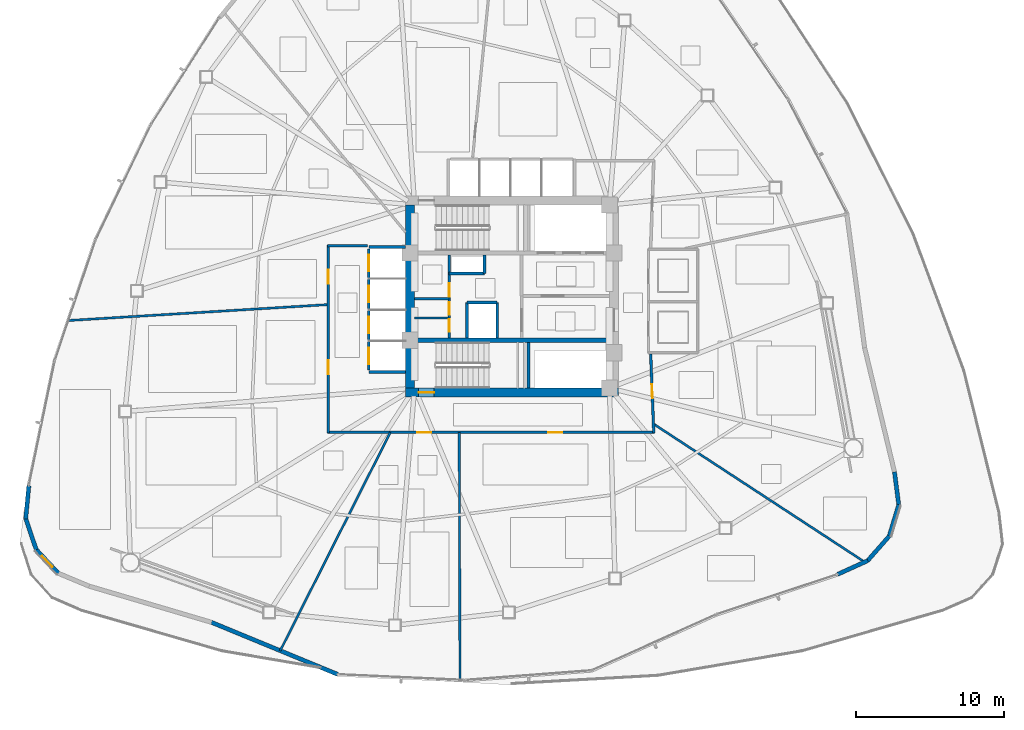
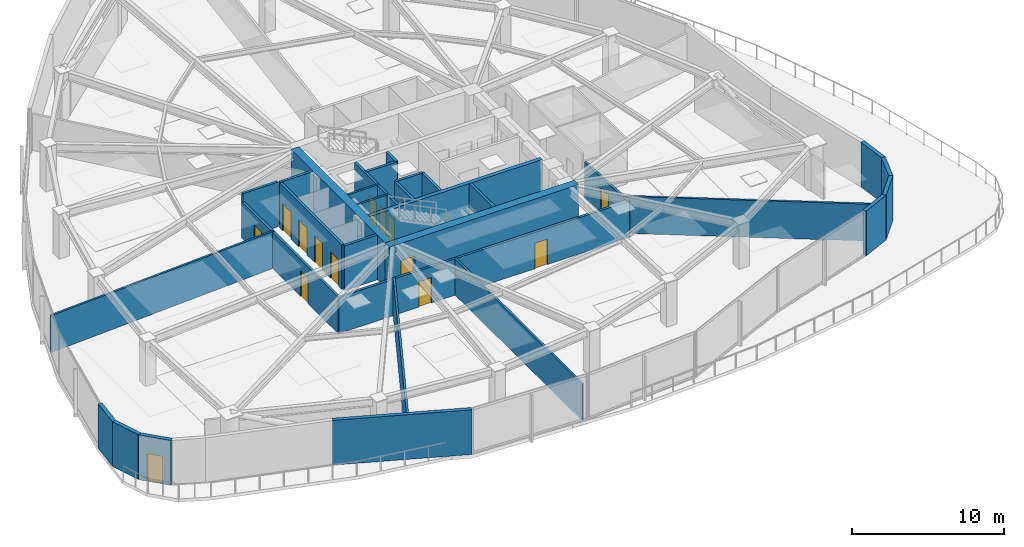
# One storey, part 11 of 19: 31 walls, 14 doors, 14 openings.
"""IFC4 building model written with IfcOpenShell, lengths in metres."""

import ifcopenshell
import ifcopenshell.guid

model = None  # the IFC model being written
_history = None  # IfcOwnerHistory: only IFC2X3 demands one
_inside = {}  # id of a spatial element -> (the spatial element, [elements in it])
_under = {}  # id of a project, library or spatial element -> (it, [spatial elements below it])
_declared = {}  # id of a project -> (the project, [libraries it declares])
_typed = {}  # id of a type object -> (the type object, [elements of that type])
_made_of = {}  # id of a material, layer set ... -> (it, [elements and type objects made of it])


def new_model(schema):
    """Start an empty IFC model of exactly this schema.

    Asked for "IFC4X3", IfcOpenShell would pick the latest addendum, in which some entities
    have other attributes; the version numbers below select the first issue.
    IFC2X3 requires an IfcOwnerHistory on every rooted entity: one is made here for all.
    """
    global model, _history
    if schema == "IFC4X3":
        model = ifcopenshell.file(schema_version=(4, 3, 0, 0))
    else:
        model = ifcopenshell.file(schema=schema)
    _inside.clear()
    _under.clear()
    _declared.clear()
    _typed.clear()
    _made_of.clear()
    _history = None
    if model.schema == "IFC2X3":
        org = make("IfcOrganization", Name="unknown")
        user = make(
            "IfcPersonAndOrganization",
            ThePerson=make("IfcPerson", FamilyName="unknown"),
            TheOrganization=org,
        )
        app = make(
            "IfcApplication",
            ApplicationDeveloper=org,
            Version="unknown",
            ApplicationFullName="unknown",
            ApplicationIdentifier="unknown",
        )
        _history = make(
            "IfcOwnerHistory",
            OwningUser=user,
            OwningApplication=app,
            ChangeAction="ADDED",
            CreationDate=0,
        )
    return model


def make(cls, **values):
    """One entity of the class cls with the attributes given. An attribute that is None is left unset."""
    return model.create_entity(
        cls, **{name: value for name, value in values.items() if value is not None}
    )


def rooted(cls, **values):
    """An entity with a GlobalId (a new one), such as an element, a storey or a relation."""
    return make(cls, GlobalId=ifcopenshell.guid.new(), OwnerHistory=_history, **values)


def si_unit(unit_type, name, prefix=None):
    """IfcSIUnit, for example si_unit("LENGTHUNIT", "METRE", prefix="MILLI")."""
    return make("IfcSIUnit", UnitType=unit_type, Prefix=prefix, Name=name)


def assignment(units):
    """IfcUnitAssignment: the units of a project."""
    return None if units is None else make("IfcUnitAssignment", Units=units)


def point(xyz):
    """IfcCartesianPoint."""
    return None if xyz is None else make("IfcCartesianPoint", Coordinates=xyz)


def direction(xyz):
    """IfcDirection."""
    return None if xyz is None else make("IfcDirection", DirectionRatios=xyz)


def frame(location, z_axis=None, x_axis=None):
    """IfcAxis2Placement3D, a coordinate frame: its origin and axes. An axis left out is left unset."""
    return make(
        "IfcAxis2Placement3D",
        Location=point(location),
        Axis=direction(z_axis),
        RefDirection=direction(x_axis),
    )


def frame_2d(location, x_axis=None):
    """IfcAxis2Placement2D, a coordinate frame in the plane: its origin and x axis."""
    return make(
        "IfcAxis2Placement2D", Location=point(location), RefDirection=direction(x_axis)
    )


def origin():
    """The frame at (0, 0, 0) with its axes left unset."""
    return frame((0.0, 0.0, 0.0))


def place(relative_to, where):
    """IfcLocalPlacement: puts the frame where relative to a parent placement (None: the world)."""
    return make(
        "IfcLocalPlacement", PlacementRelTo=relative_to, RelativePlacement=where
    )


def context(
    kind, dimensions, precision=None, world=None, true_north=None, identifier=None
):
    """IfcGeometricRepresentationContext, for example the 3D "Model" context."""
    return make(
        "IfcGeometricRepresentationContext",
        ContextIdentifier=identifier,
        ContextType=kind,
        CoordinateSpaceDimension=dimensions,
        Precision=precision,
        WorldCoordinateSystem=world,
        TrueNorth=true_north,
    )


def subcontext(parent, identifier, kind, view, scale=None):
    """IfcGeometricRepresentationSubContext, for example "Body" below "Model"."""
    return make(
        "IfcGeometricRepresentationSubContext",
        ContextIdentifier=identifier,
        ContextType=kind,
        ParentContext=parent,
        TargetScale=scale,
        TargetView=view,
    )


def project(units=None, contexts=None):
    """IfcProject with its units and contexts."""
    return rooted(
        "IfcProject",
        Name="project",
        RepresentationContexts=contexts,
        UnitsInContext=assignment(units),
    )


def spatial(cls, under=None, at=None, **own):
    """A site, building, storey or space (cls), placed at a placement, below another one or the project."""
    s = rooted(cls, ObjectPlacement=at, **own)
    if under is not None:
        _under.setdefault(under.id(), (under, []))[1].append(s)
    return s


def profile(cls, at=None, kind="AREA", **sizes):
    """A parametric profile (cls). Its sizes go by their IFC names, for example OverallWidth=200.0."""
    return make(cls, ProfileType=kind, Position=at, **sizes)


def rectangle(**sizes):
    """IfcRectangleProfileDef."""
    return profile("IfcRectangleProfileDef", **sizes)


def extrude(swept, where, along, depth):
    """IfcExtrudedAreaSolid: the profile swept, set in the frame where, extruded along a direction by depth."""
    return make(
        "IfcExtrudedAreaSolid",
        SweptArea=swept,
        Position=where,
        ExtrudedDirection=direction(along),
        Depth=depth,
    )


def shape(context_of_items, identifier, shape_type, items):
    """IfcShapeRepresentation: the items that make up one representation, for example the "Body"."""
    return make(
        "IfcShapeRepresentation",
        ContextOfItems=context_of_items,
        RepresentationIdentifier=identifier,
        RepresentationType=shape_type,
        Items=items,
    )


def material(Name=None, Category=None):
    """IfcMaterial."""
    return make("IfcMaterial", Name=Name, Category=Category)


def layer(
    of_material, thickness, ventilated=None, Name=None, Category=None, Priority=None
):
    """IfcMaterialLayer: one layer of a wall or slab, of a material (None: an air gap)."""
    return make(
        "IfcMaterialLayer",
        Material=of_material,
        LayerThickness=thickness,
        IsVentilated=ventilated,
        Name=Name,
        Category=Category,
        Priority=Priority,
    )


def layer_set(layers, Name=None):
    """IfcMaterialLayerSet."""
    return make("IfcMaterialLayerSet", MaterialLayers=layers, LayerSetName=Name)


def made_of(thing, what):
    """Note that an element or type object is made of a material, layer set ...; save() writes the relation."""
    if what is not None:
        _made_of.setdefault(what.id(), (what, []))[1].append(thing)
    return thing


def type_object(cls, material=None, **own):
    """A type object (cls), such as IfcWallType, which elements share."""
    return made_of(rooted(cls, **own), material)


def element(
    cls,
    number,
    at=None,
    inside=None,
    cuts=None,
    type_object=None,
    material=None,
    context=None,
    identifier="Body",
    shape_type=None,
    held_by="IfcProductDefinitionShape",
    body=None,
    shapes=None,
    **own,
):
    """One element of the class cls, such as IfcWall. Its Tag is "e" and its number.

    at: its placement. inside: the storey or other place that contains it. cuts: it is an
    opening in that element (IfcRelVoidsElement). A single representation is given by context,
    identifier, shape_type and body (its items); several are given by shapes. held_by: the class
    of the entity that holds the representations. save() writes the other relations.
    """
    e = rooted(cls, Tag="e%d" % number, ObjectPlacement=at, **own)
    if body is not None:
        shapes = [shape(context, identifier, shape_type, body)]
    if shapes is not None:
        e.Representation = make(held_by, Representations=shapes)
    if inside is not None:
        _inside.setdefault(inside.id(), (inside, []))[1].append(e)
    if cuts is not None:
        rooted(
            "IfcRelVoidsElement", RelatingBuildingElement=cuts, RelatedOpeningElement=e
        )
    if type_object is not None:
        _typed.setdefault(type_object.id(), (type_object, []))[1].append(e)
    return made_of(e, material)


def fill(opening, filler):
    """IfcRelFillsElement: the door or window that sits in an opening."""
    return rooted(
        "IfcRelFillsElement",
        RelatingOpeningElement=opening,
        RelatedBuildingElement=filler,
    )


def aggregate(whole, parts):
    """IfcRelAggregates: a whole, such as a stair, and the parts it consists of."""
    return rooted("IfcRelAggregates", RelatingObject=whole, RelatedObjects=parts)


def save(model, path):
    """Write the relations noted so far, then the file.

    IfcRelAggregates (storeys below a building ...), IfcRelContainedInSpatialStructure (elements
    in a storey), IfcRelDefinesByType, IfcRelAssociatesMaterial and IfcRelDeclares: one each for
    every whole, place, type object, material and project.
    """
    for whole, parts in _under.values():
        aggregate(whole, parts)
    for where, things in _inside.values():
        rooted(
            "IfcRelContainedInSpatialStructure",
            RelatedElements=things,
            RelatingStructure=where,
        )
    for kind, things in _typed.values():
        rooted("IfcRelDefinesByType", RelatedObjects=things, RelatingType=kind)
    for what, things in _made_of.values():
        rooted("IfcRelAssociatesMaterial", RelatedObjects=things, RelatingMaterial=what)
    for by, libraries in _declared.values():
        rooted("IfcRelDeclares", RelatingContext=by, RelatedDefinitions=libraries)
    model.write(path)


model = new_model("IFC4")

# Units and contexts
model_context = context("Model", 3, precision=1e-05, world=origin(), true_north=direction((0.0, 1.0)))
body_context = subcontext(model_context, "Body", "Model", "MODEL_VIEW")
ifc_project = project(units=[si_unit("LENGTHUNIT", "METRE"), si_unit("AREAUNIT", "SQUARE_METRE"), si_unit("VOLUMEUNIT", "CUBIC_METRE"), si_unit("PLANEANGLEUNIT", "RADIAN"), si_unit("MASSUNIT", "GRAM", prefix="KILO")], contexts=[model_context])

# Site, building, storey
site_placement = place(None, origin())
site = spatial("IfcSite", under=ifc_project, at=site_placement, CompositionType="ELEMENT")
building_placement = place(site_placement, origin())
building = spatial("IfcBuilding", under=site, at=building_placement, Name="Tavelor Broadcast Tower", CompositionType="ELEMENT")
storey_placement = place(building_placement, frame((0.0, 0.0, 27.60009765625)))
storey = spatial("IfcBuildingStorey", under=building, at=storey_placement, Name="L05", CompositionType="ELEMENT", Elevation=27.60009765625)

# Wall, opening, door
ifc_material_1 = material(Name="Concrete C60/75", Category="concrete")
ifc_layer_1 = layer(ifc_material_1, 0.60009765625)
ifc_layer_set_1 = layer_set([ifc_layer_1], Name="Concrete C60/75")
wall_type_1 = type_object("IfcWallType", Name="Core Shear Wall 600 mm", PredefinedType="SHEAR", material=ifc_layer_set_1)
wall_1_placement = place(storey_placement, frame((42.800048828125, 38.5, 0.0), z_axis=(0.0, 0.0, 1.0), x_axis=(1.0, 0.0, 0.0)))
wall_1 = element("IfcWall", 1, at=wall_1_placement, inside=storey, type_object=wall_type_1, Name="L05 Central Core Shear Wall S", PredefinedType="SHEAR", context=body_context, shape_type="SweptSolid", body=[
    extrude(rectangle(XDim=14.39990234375, YDim=0.60009765625, at=frame_2d((7.199951171875, 0.0))), origin(), (0.0, 0.0, 1.0), 3.599853515625),
])
opening_1_placement = place(wall_1_placement, frame((0.8798828125, 0.0, 0.0)))
opening_1 = element("IfcOpeningElement", 2, at=opening_1_placement, cuts=wall_1, Name="Opening DR11", PredefinedType="OPENING", context=body_context, shape_type="SweptSolid", body=[
    extrude(rectangle(XDim=1.050048828125, YDim=2.199951171875, at=frame_2d((0.52490234375, 1.10009765625))), frame((0.0, 0.31005859375, 0.0), z_axis=(0.0, -1.0, 0.0), x_axis=(1.0, 0.0, 0.0)), (0.0, 0.0, 1.0), 0.6201171875),
])
ifc_material_2 = material(Name="Steel S355", Category="steel")
door_type_1 = type_object("IfcDoorType", Name="Stair Core Fire Escape Door 1050x2200", OperationType="NOTDEFINED", PredefinedType="DOOR", material=ifc_material_2)
door_1_placement = place(opening_1_placement, origin())
door_1 = element("IfcDoor", 3, at=door_1_placement, inside=storey, type_object=door_type_1, Name="L05 Stair ST2 Protected Exit Door", OperationType="SINGLE_SWING_RIGHT", OverallHeight=2.199951171875, OverallWidth=1.050048828125, PredefinedType="DOOR", context=body_context, shape_type="SweptSolid", body=[
    extrude(rectangle(XDim=1.050048828125, YDim=2.199951171875, at=frame_2d((0.52490234375, 1.10009765625))), frame((0.0, 0.02490234375, 0.0), z_axis=(0.0, -1.0, 0.0), x_axis=(1.0, 0.0, 0.0)), (0.0, 0.0, 1.0), 0.050048828125),
])
fill(opening_1, door_1)

# Walls
wall_2_placement = place(storey_placement, frame((43.10009765625, 38.800048828125, 0.0), z_axis=(0.0, 0.0, 1.0), x_axis=(0.0, 1.0, 0.0)))
element("IfcWall", 4, at=wall_2_placement, inside=storey, type_object=wall_type_1, Name="L05 Central Core Shear Wall W", PredefinedType="SHEAR", context=body_context, shape_type="SweptSolid", body=[
    extrude(rectangle(XDim=12.39990234375, YDim=0.60009765625, at=frame_2d((6.199951171875, 0.0))), origin(), (0.0, 0.0, 1.0), 3.599853515625),
])
ifc_layer_2 = layer(ifc_material_1, 0.300048828125)
ifc_layer_set_2 = layer_set([ifc_layer_2], Name="Concrete C60/75")
wall_type_2 = type_object("IfcWallType", Name="Core Spine Shear Wall 300 mm C60", PredefinedType="SHEAR", material=ifc_layer_set_2)
wall_3_placement = place(storey_placement, frame((43.39990234375, 42.050048828125, 0.0), z_axis=(0.0, 0.0, 1.0), x_axis=(1.0, 0.0, 0.0)))
element("IfcWall", 5, at=wall_3_placement, inside=storey, type_object=wall_type_2, Name="L05 Central Core Shear Wall SP2", PredefinedType="SHEAR", context=body_context, shape_type="SweptSolid", body=[
    extrude(rectangle(XDim=13.2001953125, YDim=0.300048828125, at=frame_2d((6.60009765625, 0.0))), origin(), (0.0, 0.0, 1.0), 3.599853515625),
])

# Wall, openings, doors
ifc_material_3 = material(Name="Calcium Silicate Fire Board 180 mm", Category="gypsum")
ifc_layer_3 = layer(ifc_material_3, 0.179931640625)
ifc_layer_set_3 = layer_set([ifc_layer_3], Name="Calcium Silicate Fire Board 180 mm")
wall_type_3 = type_object("IfcWallType", Name="Fire-Rated Corridor Partition Wall 180 mm", PredefinedType="PARTITIONING", material=ifc_layer_set_3)
wall_4_placement = place(storey_placement, frame((45.75, 42.199951171875, 0.0), z_axis=(0.0, 0.0, 1.0), x_axis=(0.0, 1.0, 0.0)))
wall_4 = element("IfcWall", 6, at=wall_4_placement, inside=storey, type_object=wall_type_3, Name="L05 Core West Service East Wall", PredefinedType="PARTITIONING", context=body_context, shape_type="SweptSolid", body=[
    extrude(rectangle(XDim=5.60009765625, YDim=0.179931640625, at=frame_2d((2.800048828125, 0.0))), origin(), (0.0, 0.0, 1.0), 3.599853515625),
])
opening_2_placement = place(wall_4_placement, frame((0.419921875, 0.0, 0.0)))
opening_2 = element("IfcOpeningElement", 7, at=opening_2_placement, cuts=wall_4, Name="Opening DR36", PredefinedType="OPENING", context=body_context, shape_type="SweptSolid", body=[
    extrude(rectangle(XDim=0.85009765625, YDim=2.050048828125, at=frame_2d((0.425048828125, 1.02490234375))), frame((0.0, 0.10009765625, 0.0), z_axis=(0.0, -1.0, 0.0), x_axis=(1.0, 0.0, 0.0)), (0.0, 0.0, 1.0), 0.199951171875),
])
opening_3_placement = place(wall_4_placement, frame((1.570068359375, 0.0, 0.0)))
opening_3 = element("IfcOpeningElement", 8, at=opening_3_placement, cuts=wall_4, Name="Opening DR36", PredefinedType="OPENING", context=body_context, shape_type="SweptSolid", body=[
    extrude(rectangle(XDim=0.85009765625, YDim=2.050048828125, at=frame_2d((0.425048828125, 1.02490234375))), frame((0.0, 0.10009765625, 0.0), z_axis=(0.0, -1.0, 0.0), x_axis=(1.0, 0.0, 0.0)), (0.0, 0.0, 1.0), 0.199951171875),
])
opening_4_placement = place(wall_4_placement, frame((2.800048828125, 0.0, 0.0)))
opening_4 = element("IfcOpeningElement", 9, at=opening_4_placement, cuts=wall_4, Name="Opening DR32", PredefinedType="OPENING", context=body_context, shape_type="SweptSolid", body=[
    extrude(rectangle(XDim=0.89990234375, YDim=2.050048828125, at=frame_2d((0.449951171875, 1.02490234375))), frame((0.0, 0.10009765625, 0.0), z_axis=(0.0, -1.0, 0.0), x_axis=(1.0, 0.0, 0.0)), (0.0, 0.0, 1.0), 0.199951171875),
])
ifc_material_4 = material(Name="Timber Solid Core Hardwood", Category="wood")
door_type_2 = type_object("IfcDoorType", Name="Accessible Washroom Door 900x2050", OperationType="NOTDEFINED", PredefinedType="DOOR", material=ifc_material_4)
door_2_placement = place(opening_4_placement, origin())
door_2 = element("IfcDoor", 10, at=door_2_placement, inside=storey, type_object=door_type_2, Name="L05 Core Accessible WC Door", OperationType="SINGLE_SWING_LEFT", OverallHeight=2.050048828125, OverallWidth=0.89990234375, PredefinedType="DOOR", context=body_context, shape_type="SweptSolid", body=[
    extrude(rectangle(XDim=0.89990234375, YDim=2.050048828125, at=frame_2d((0.449951171875, 1.02490234375))), frame((0.0, 0.02490234375, 0.0), z_axis=(0.0, -1.0, 0.0), x_axis=(1.0, 0.0, 0.0)), (0.0, 0.0, 1.0), 0.050048828125),
])
fill(opening_4, door_2)
door_type_3 = type_object("IfcDoorType", Name="Service Room Fire Door 850x2050", OperationType="NOTDEFINED", PredefinedType="DOOR", material=ifc_material_2)
door_3_placement = place(opening_2_placement, origin())
door_3 = element("IfcDoor", 11, at=door_3_placement, inside=storey, type_object=door_type_3, Name="L05 Core Medical Room Door", OperationType="SINGLE_SWING_LEFT", OverallHeight=2.050048828125, OverallWidth=0.85009765625, PredefinedType="DOOR", context=body_context, shape_type="SweptSolid", body=[
    extrude(rectangle(XDim=0.85009765625, YDim=2.050048828125, at=frame_2d((0.425048828125, 1.02490234375))), frame((0.0, 0.02490234375, 0.0), z_axis=(0.0, -1.0, 0.0), x_axis=(1.0, 0.0, 0.0)), (0.0, 0.0, 1.0), 0.050048828125),
])
fill(opening_2, door_3)
door_4_placement = place(opening_3_placement, origin())
door_4 = element("IfcDoor", 12, at=door_4_placement, inside=storey, type_object=door_type_3, Name="L05 Core Copy Room Door", OperationType="SINGLE_SWING_RIGHT", OverallHeight=2.050048828125, OverallWidth=0.85009765625, PredefinedType="DOOR", context=body_context, shape_type="SweptSolid", body=[
    extrude(rectangle(XDim=0.85009765625, YDim=2.050048828125, at=frame_2d((0.425048828125, 1.02490234375))), frame((0.0, 0.02490234375, 0.0), z_axis=(0.0, -1.0, 0.0), x_axis=(1.0, 0.0, 0.0)), (0.0, 0.0, 1.0), 0.050048828125),
])
fill(opening_3, door_4)

# Wall, opening, door
wall_5_placement = place(storey_placement, frame((59.39208984375, 41.10009765625, 0.0), z_axis=(0.0, 0.0, 1.0), x_axis=(0.03921413315, -0.999230830069, 0.0)))
wall_5 = element("IfcWall", 13, at=wall_5_placement, inside=storey, type_object=wall_type_3, Name="L05 Corridor Compartment Wall 03", PredefinedType="PARTITIONING", context=body_context, shape_type="SweptSolid", body=[
    extrude(rectangle(XDim=5.354248046875, YDim=0.179931640625, at=frame_2d((2.67724609375, 0.0))), origin(), (0.0, 0.0, 1.0), 2.9248046875),
])
opening_5_placement = place(wall_5_placement, frame((2.037353515625, 0.0, 0.0)))
opening_5 = element("IfcOpeningElement", 14, at=opening_5_placement, cuts=wall_5, Name="Opening DR18", PredefinedType="OPENING", context=body_context, shape_type="SweptSolid", body=[
    extrude(rectangle(XDim=0.949951171875, YDim=2.050048828125, at=frame_2d((0.47509765625, 1.02490234375))), frame((0.0, 0.10009765625, 0.0), z_axis=(0.0, -1.0, 0.0), x_axis=(1.0, 0.0, 0.0)), (0.0, 0.0, 1.0), 0.199951171875),
])
door_type_4 = type_object("IfcDoorType", Name="Corridor Rated Compartment Door 950x2050", OperationType="NOTDEFINED", PredefinedType="DOOR", material=ifc_material_4)
door_5_placement = place(opening_5_placement, origin())
door_5 = element("IfcDoor", 15, at=door_5_placement, inside=storey, type_object=door_type_4, Name="L05 Audio Dubbing Studio Door R6", OperationType="SINGLE_SWING_RIGHT", OverallHeight=2.050048828125, OverallWidth=0.949951171875, PredefinedType="DOOR", context=body_context, shape_type="SweptSolid", body=[
    extrude(rectangle(XDim=0.949951171875, YDim=2.050048828125, at=frame_2d((0.47509765625, 1.02490234375))), frame((0.0, 0.02490234375, 0.0), z_axis=(0.0, -1.0, 0.0), x_axis=(1.0, 0.0, 0.0)), (0.0, 0.0, 1.0), 0.050048828125),
])
fill(opening_5, door_5)

# Wall, openings, doors
wall_6_placement = place(storey_placement, frame((59.64990234375, 35.800048828125, 0.0), z_axis=(0.0, 0.0, 1.0), x_axis=(-1.0, 0.0, 0.0)))
wall_6 = element("IfcWall", 16, at=wall_6_placement, inside=storey, type_object=wall_type_3, Name="L05 Corridor Compartment Wall 04", PredefinedType="PARTITIONING", context=body_context, shape_type="SweptSolid", body=[
    extrude(rectangle(XDim=22.14990234375, YDim=0.179931640625, at=frame_2d((11.074951171875, 0.0))), origin(), (0.0, 0.0, 1.0), 2.9248046875),
])
opening_6_placement = place(wall_6_placement, frame((6.254150390625, 0.0, 0.0)))
opening_6 = element("IfcOpeningElement", 17, at=opening_6_placement, cuts=wall_6, Name="Opening DR18", PredefinedType="OPENING", context=body_context, shape_type="SweptSolid", body=[
    extrude(rectangle(XDim=0.949951171875, YDim=2.050048828125, at=frame_2d((0.47509765625, 1.02490234375))), frame((0.0, 0.10009765625, 0.0), z_axis=(0.0, -1.0, 0.0), x_axis=(1.0, 0.0, 0.0)), (0.0, 0.0, 1.0), 0.199951171875),
])
opening_7_placement = place(wall_6_placement, frame((15.103271484375, 0.0, 0.0)))
opening_7 = element("IfcOpeningElement", 18, at=opening_7_placement, cuts=wall_6, Name="Opening DR18", PredefinedType="OPENING", context=body_context, shape_type="SweptSolid", body=[
    extrude(rectangle(XDim=0.949951171875, YDim=2.050048828125, at=frame_2d((0.47509765625, 1.02490234375))), frame((0.0, 0.10009765625, 0.0), z_axis=(0.0, -1.0, 0.0), x_axis=(1.0, 0.0, 0.0)), (0.0, 0.0, 1.0), 0.199951171875),
])
door_6_placement = place(opening_6_placement, origin())
door_6 = element("IfcDoor", 19, at=door_6_placement, inside=storey, type_object=door_type_4, Name="L05 Investigative News Desk Door R0", OperationType="SINGLE_SWING_LEFT", OverallHeight=2.050048828125, OverallWidth=0.949951171875, PredefinedType="DOOR", context=body_context, shape_type="SweptSolid", body=[
    extrude(rectangle(XDim=0.949951171875, YDim=2.050048828125, at=frame_2d((0.47509765625, 1.02490234375))), frame((0.0, 0.02490234375, 0.0), z_axis=(0.0, -1.0, 0.0), x_axis=(1.0, 0.0, 0.0)), (0.0, 0.0, 1.0), 0.050048828125),
])
fill(opening_6, door_6)
door_7_placement = place(opening_7_placement, origin())
door_7 = element("IfcDoor", 20, at=door_7_placement, inside=storey, type_object=door_type_4, Name="L05 Syndication Legal Office Door R1", OperationType="SINGLE_SWING_RIGHT", OverallHeight=2.050048828125, OverallWidth=0.949951171875, PredefinedType="DOOR", context=body_context, shape_type="SweptSolid", body=[
    extrude(rectangle(XDim=0.949951171875, YDim=2.050048828125, at=frame_2d((0.47509765625, 1.02490234375))), frame((0.0, 0.02490234375, 0.0), z_axis=(0.0, -1.0, 0.0), x_axis=(1.0, 0.0, 0.0)), (0.0, 0.0, 1.0), 0.050048828125),
])
fill(opening_7, door_7)

wall_7_placement = place(storey_placement, frame((37.550048828125, 35.75, 0.0), z_axis=(0.0, 0.0, 1.0), x_axis=(0.0, 1.0, 0.0)))
wall_7 = element("IfcWall", 21, at=wall_7_placement, inside=storey, type_object=wall_type_3, Name="L05 Corridor Compartment Wall 05", PredefinedType="PARTITIONING", context=body_context, shape_type="SweptSolid", body=[
    extrude(rectangle(XDim=12.75, YDim=0.179931640625, at=frame_2d((6.375, 0.0))), origin(), (0.0, 0.0, 1.0), 2.9248046875),
])
opening_8_placement = place(wall_7_placement, frame((3.992919921875, 0.0, 0.0)))
opening_8 = element("IfcOpeningElement", 22, at=opening_8_placement, cuts=wall_7, Name="Opening DR18", PredefinedType="OPENING", context=body_context, shape_type="SweptSolid", body=[
    extrude(rectangle(XDim=0.949951171875, YDim=2.050048828125, at=frame_2d((0.47509765625, 1.02490234375))), frame((0.0, 0.10009765625, 0.0), z_axis=(0.0, -1.0, 0.0), x_axis=(1.0, 0.0, 0.0)), (0.0, 0.0, 1.0), 0.199951171875),
])
opening_9_placement = place(wall_7_placement, frame((10.13232421875, 0.0, 0.0)))
opening_9 = element("IfcOpeningElement", 23, at=opening_9_placement, cuts=wall_7, Name="Opening DR18", PredefinedType="OPENING", context=body_context, shape_type="SweptSolid", body=[
    extrude(rectangle(XDim=0.949951171875, YDim=2.050048828125, at=frame_2d((0.47509765625, 1.02490234375))), frame((0.0, 0.10009765625, 0.0), z_axis=(0.0, -1.0, 0.0), x_axis=(1.0, 0.0, 0.0)), (0.0, 0.0, 1.0), 0.199951171875),
])
door_8_placement = place(opening_8_placement, origin())
door_8 = element("IfcDoor", 24, at=door_8_placement, inside=storey, type_object=door_type_4, Name="L05 International Bureau Office Door R2", OperationType="SINGLE_SWING_LEFT", OverallHeight=2.050048828125, OverallWidth=0.949951171875, PredefinedType="DOOR", context=body_context, shape_type="SweptSolid", body=[
    extrude(rectangle(XDim=0.949951171875, YDim=2.050048828125, at=frame_2d((0.47509765625, 1.02490234375))), frame((0.0, 0.02490234375, 0.0), z_axis=(0.0, -1.0, 0.0), x_axis=(1.0, 0.0, 0.0)), (0.0, 0.0, 1.0), 0.050048828125),
])
fill(opening_8, door_8)
door_9_placement = place(opening_9_placement, origin())
door_9 = element("IfcDoor", 25, at=door_9_placement, inside=storey, type_object=door_type_4, Name="L05 Documentary Planning Office Door R3", OperationType="SINGLE_SWING_RIGHT", OverallHeight=2.050048828125, OverallWidth=0.949951171875, PredefinedType="DOOR", context=body_context, shape_type="SweptSolid", body=[
    extrude(rectangle(XDim=0.949951171875, YDim=2.050048828125, at=frame_2d((0.47509765625, 1.02490234375))), frame((0.0, 0.02490234375, 0.0), z_axis=(0.0, -1.0, 0.0), x_axis=(1.0, 0.0, 0.0)), (0.0, 0.0, 1.0), 0.050048828125),
])
fill(opening_9, door_9)

# Walls
wall_8_placement = place(storey_placement, frame((37.5, 48.449951171875, 0.0), z_axis=(0.0, 0.0, 1.0), x_axis=(1.0, 0.0, 0.0)))
element("IfcWall", 26, at=wall_8_placement, inside=storey, type_object=wall_type_3, Name="L05 Corridor Compartment Wall 06", PredefinedType="PARTITIONING", context=body_context, shape_type="SweptSolid", body=[
    extrude(rectangle(XDim=2.699951171875, YDim=0.179931640625, at=frame_2d((1.35009765625, 0.0))), origin(), (0.0, 0.0, 1.0), 3.599853515625),
])
ifc_material_5 = material(Name="Precast Concrete C40/50", Category="concrete")
ifc_layer_4 = layer(ifc_material_5, 0.280029296875)
ifc_layer_set_4 = layer_set([ifc_layer_4], Name="Precast Concrete C40/50")
wall_type_4 = type_object("IfcWallType", Name="Insulated Precast Terracotta Facade Wall 280 mm", PredefinedType="STANDARD", material=ifc_layer_set_4)
wall_9_placement = place(storey_placement, frame((17.282958984375, 32.194091796875, 0.0), z_axis=(0.0, 0.0, 1.0), x_axis=(-0.096704884941, -0.995313099094, 0.0)))
element("IfcWall", 27, at=wall_9_placement, inside=storey, type_object=wall_type_4, Name="L05 Rounded Corner Structural Cladding Pier 11", PredefinedType="STANDARD", context=body_context, shape_type="SweptSolid", body=[
    extrude(rectangle(XDim=2.25439453125, YDim=0.280029296875, at=frame_2d((1.127197265625, 0.0))), origin(), (0.0, 0.0, 1.0), 3.599853515625),
])
wall_10_placement = place(storey_placement, frame((17.0615234375, 29.9794921875, 0.0), z_axis=(0.0, 0.0, 1.0), x_axis=(0.321447996394, -0.946927233537, 0.0)))
element("IfcWall", 28, at=wall_10_placement, inside=storey, type_object=wall_type_4, Name="L05 Rounded Corner Structural Cladding Pier 12", PredefinedType="STANDARD", context=body_context, shape_type="SweptSolid", body=[
    extrude(rectangle(XDim=2.242919921875, YDim=0.280029296875, at=frame_2d((1.12158203125, 0.0))), origin(), (0.0, 0.0, 1.0), 3.599853515625),
])

# Wall, opening, door
wall_11_placement = place(storey_placement, frame((17.767333984375, 27.880859375, 0.0), z_axis=(0.0, 0.0, 1.0), x_axis=(0.682698223225, -0.730700442045, 0.0)))
wall_11 = element("IfcWall", 29, at=wall_11_placement, inside=storey, type_object=wall_type_4, Name="L05 Rounded Corner Structural Cladding Pier 13", PredefinedType="STANDARD", context=body_context, shape_type="SweptSolid", body=[
    extrude(rectangle(XDim=2.242919921875, YDim=0.280029296875, at=frame_2d((1.12158203125, 0.0))), origin(), (0.0, 0.0, 1.0), 3.599853515625),
])
opening_10_placement = place(wall_11_placement, frame((0.596435546875, 0.0, 0.0)))
opening_10 = element("IfcOpeningElement", 30, at=opening_10_placement, cuts=wall_11, Name="Opening DR52", PredefinedType="OPENING", context=body_context, shape_type="SweptSolid", body=[
    extrude(rectangle(XDim=1.050048828125, YDim=2.199951171875, at=frame_2d((0.52490234375, 1.10009765625))), frame((0.0, 0.14990234375, 0.0), z_axis=(0.0, -1.0, 0.0), x_axis=(1.0, 0.0, 0.0)), (0.0, 0.0, 1.0), 0.300048828125),
])
ifc_material_6 = material(Name="Architectural Anodized Aluminium", Category="aluminium")
door_type_5 = type_object("IfcDoorType", Name="Terrace Garden Glazed Access Door 1050x2200", OperationType="NOTDEFINED", PredefinedType="DOOR", material=ifc_material_6)
door_10_placement = place(opening_10_placement, origin())
door_10 = element("IfcDoor", 31, at=door_10_placement, inside=storey, type_object=door_type_5, Name="L05 Podium Roof Garden Glazed Access Door 2", OperationType="SINGLE_SWING_LEFT", OverallHeight=2.199951171875, OverallWidth=1.050048828125, PredefinedType="DOOR", context=body_context, shape_type="SweptSolid", body=[
    extrude(rectangle(XDim=1.050048828125, YDim=2.199951171875, at=frame_2d((0.52490234375, 1.10009765625))), frame((0.0, 0.02490234375, 0.0), z_axis=(0.0, -1.0, 0.0), x_axis=(1.0, 0.0, 0.0)), (0.0, 0.0, 1.0), 0.050048828125),
])
fill(opening_10, door_10)

# Walls
wall_12_placement = place(storey_placement, frame((29.6337890625, 22.94384765625, 0.0), z_axis=(0.0, 0.0, 1.0), x_axis=(0.924511602603, -0.381153901532, 0.0)))
element("IfcWall", 32, at=wall_12_placement, inside=storey, type_object=wall_type_4, Name="L05 Rounded Corner Structural Cladding Pier 16", PredefinedType="STANDARD", context=body_context, shape_type="SweptSolid", body=[
    extrude(rectangle(XDim=9.26708984375, YDim=0.280029296875, at=frame_2d((4.633544921875, 0.0))), origin(), (0.0, 0.0, 1.0), 3.599853515625),
])
wall_13_placement = place(storey_placement, frame((72.048583984375, 26.186767578125, 0.0), z_axis=(0.0, 0.0, 1.0), x_axis=(0.910281161634, 0.413990587786, 0.0)))
element("IfcWall", 33, at=wall_13_placement, inside=storey, type_object=wall_type_4, Name="L05 Rounded Corner Structural Cladding Pier 21", PredefinedType="STANDARD", context=body_context, shape_type="SweptSolid", body=[
    extrude(rectangle(XDim=2.254638671875, YDim=0.280029296875, at=frame_2d((1.12744140625, 0.0))), origin(), (0.0, 0.0, 1.0), 3.599853515625),
])
wall_14_placement = place(storey_placement, frame((74.077392578125, 27.1025390625, 0.0), z_axis=(0.0, 0.0, 1.0), x_axis=(0.659328805879, 0.751854723825, 0.0)))
element("IfcWall", 34, at=wall_14_placement, inside=storey, type_object=wall_type_4, Name="L05 Rounded Corner Structural Cladding Pier 22", PredefinedType="STANDARD", context=body_context, shape_type="SweptSolid", body=[
    extrude(rectangle(XDim=2.242919921875, YDim=0.280029296875, at=frame_2d((1.12158203125, 0.0))), origin(), (0.0, 0.0, 1.0), 3.599853515625),
])
wall_15_placement = place(storey_placement, frame((75.5419921875, 28.76318359375, 0.0), z_axis=(0.0, 0.0, 1.0), x_axis=(0.291529800595, 0.95656174676, 0.0)))
element("IfcWall", 35, at=wall_15_placement, inside=storey, type_object=wall_type_4, Name="L05 Rounded Corner Structural Cladding Pier 23", PredefinedType="STANDARD", context=body_context, shape_type="SweptSolid", body=[
    extrude(rectangle(XDim=2.24267578125, YDim=0.280029296875, at=frame_2d((1.121337890625, 0.0))), origin(), (0.0, 0.0, 1.0), 3.599853515625),
])
wall_16_placement = place(storey_placement, frame((76.193359375, 30.879150390625, 0.0), z_axis=(0.0, 0.0, 1.0), x_axis=(-0.127920045856, 0.991784483579, 0.0)))
element("IfcWall", 36, at=wall_16_placement, inside=storey, type_object=wall_type_4, Name="L05 Rounded Corner Structural Cladding Pier 24", PredefinedType="STANDARD", context=body_context, shape_type="SweptSolid", body=[
    extrude(rectangle(XDim=2.265380859375, YDim=0.280029296875, at=frame_2d((1.1328125, 0.0))), origin(), (0.0, 0.0, 1.0), 3.599853515625),
])
ifc_material_7 = material(Name="Gypsum Acoustic Plasterboard 150 mm", Category="gypsum")
ifc_layer_5 = layer(ifc_material_7, 0.14990234375)
ifc_layer_set_5 = layer_set([ifc_layer_5], Name="Gypsum Acoustic Plasterboard 150 mm")
wall_type_5 = type_object("IfcWallType", Name="Interior Acoustic Partition Wall 150 mm", PredefinedType="PARTITIONING", material=ifc_layer_set_5)
for number, where, z_axis, x_axis, name in (
    (37, (43.39990234375, 43.550048828125, 0.0), (0.0, 0.0, 1.0), (1.0, 0.0, 0.0), "L05 Core Split Wall B1"),
    (38, (43.39990234375, 44.85009765625, 0.0), (0.0, 0.0, 1.0), (1.0, 0.0, 0.0), "L05 Core Split Wall B2"),
):
    element("IfcWall", number, at=place(storey_placement, frame(where, z_axis=z_axis, x_axis=x_axis)), inside=storey, type_object=wall_type_5, Name=name, PredefinedType="PARTITIONING", context=body_context, shape_type="SweptSolid", body=[
        extrude(rectangle(XDim=2.35009765625, YDim=0.14990234375, at=frame_2d((1.175048828125, 0.0))), origin(), (0.0, 0.0, 1.0), 3.599853515625),
    ])
wall_17_placement = place(storey_placement, frame((37.550048828125, 44.456787109375, 0.0), z_axis=(0.0, 0.0, 1.0), x_axis=(-0.998123200765, -0.061237864879, 0.0)))
element("IfcWall", 39, at=wall_17_placement, inside=storey, type_object=wall_type_5, Name="L05 Radial Compartment Wall 04", PredefinedType="PARTITIONING", context=body_context, shape_type="SweptSolid", body=[
    extrude(rectangle(XDim=17.633544921875, YDim=0.14990234375, at=frame_2d((8.81689453125, 0.0))), origin(), (0.0, 0.0, 1.0), 2.974853515625),
])
wall_18_placement = place(storey_placement, frame((41.760009765625, 35.800048828125, 0.0), z_axis=(0.0, 0.0, 1.0), x_axis=(-0.450299979732, -0.892877331022, 0.0)))
element("IfcWall", 40, at=wall_18_placement, inside=storey, type_object=wall_type_5, Name="L05 Radial Compartment Wall 05", PredefinedType="PARTITIONING", context=body_context, shape_type="SweptSolid", body=[
    extrude(rectangle(XDim=16.565673828125, YDim=0.14990234375, at=frame_2d((8.28271484375, 0.0))), origin(), (0.0, 0.0, 1.0), 2.974853515625),
])
wall_19_placement = place(storey_placement, frame((46.427001953125, 35.800048828125, 0.0), z_axis=(0.0, 0.0, 1.0), x_axis=(0.002955422619, -0.999995632729, 0.0)))
element("IfcWall", 41, at=wall_19_placement, inside=storey, type_object=wall_type_5, Name="L05 Radial Compartment Wall 06", PredefinedType="PARTITIONING", context=body_context, shape_type="SweptSolid", body=[
    extrude(rectangle(XDim=16.769287109375, YDim=0.14990234375, at=frame_2d((8.384765625, 0.0))), origin(), (0.0, 0.0, 1.0), 2.9248046875),
])
wall_20_placement = place(storey_placement, frame((59.5771484375, 36.380615234375, 0.0), z_axis=(0.0, 0.0, 1.0), x_axis=(0.83686376377, -0.547411217358, 0.0)))
element("IfcWall", 42, at=wall_20_placement, inside=storey, type_object=wall_type_5, Name="L05 Radial Compartment Wall 07", PredefinedType="PARTITIONING", context=body_context, shape_type="SweptSolid", body=[
    extrude(rectangle(XDim=17.108642578125, YDim=0.14990234375, at=frame_2d((8.55419921875, 0.0))), origin(), (0.0, 0.0, 1.0), 2.974853515625),
])

# Wall, openings, doors
ifc_material_8 = material(Name="Concrete Blockwork 200 mm", Category="masonry")
ifc_layer_6 = layer(ifc_material_8, 0.199951171875)
ifc_layer_set_6 = layer_set([ifc_layer_6], Name="Concrete Blockwork 200 mm")
wall_type_6 = type_object("IfcWallType", Name="Lift Hoistway Rated Front Wall 200 mm", PredefinedType="PARTITIONING", material=ifc_layer_set_6)
wall_21_placement = place(storey_placement, frame((40.300048828125, 40.02001953125, 0.0), z_axis=(0.0, 0.0, 1.0), x_axis=(0.0, 1.0, 0.0)))
wall_21 = element("IfcWall", 43, at=wall_21_placement, inside=storey, type_object=wall_type_6, Name="L05 Low-Rise Lift Hoistway Front Wall", PredefinedType="PARTITIONING", context=body_context, shape_type="SweptSolid", body=[
    extrude(rectangle(XDim=8.2099609375, YDim=0.199951171875, at=frame_2d((4.10498046875, 0.0))), origin(), (0.0, 0.0, 1.0), 3.599853515625),
])
opening_11_placement = place(wall_21_placement, frame((0.405029296875, 0.0, 0.0)))
opening_11 = element("IfcOpeningElement", 44, at=opening_11_placement, cuts=wall_21, Name="Opening LD01", PredefinedType="OPENING", context=body_context, shape_type="SweptSolid", body=[
    extrude(rectangle(XDim=1.10009765625, YDim=2.14990234375, at=frame_2d((0.550048828125, 1.074951171875))), frame((0.0, 0.10986328125, 0.0), z_axis=(0.0, -1.0, 0.0), x_axis=(1.0, 0.0, 0.0)), (0.0, 0.0, 1.0), 0.219970703125),
])
opening_12_placement = place(wall_21_placement, frame((2.5048828125, 0.0, 0.0)))
opening_12 = element("IfcOpeningElement", 45, at=opening_12_placement, cuts=wall_21, Name="Opening LD01", PredefinedType="OPENING", context=body_context, shape_type="SweptSolid", body=[
    extrude(rectangle(XDim=1.10009765625, YDim=2.14990234375, at=frame_2d((0.550048828125, 1.074951171875))), frame((0.0, 0.10986328125, 0.0), z_axis=(0.0, -1.0, 0.0), x_axis=(1.0, 0.0, 0.0)), (0.0, 0.0, 1.0), 0.219970703125),
])
opening_13_placement = place(wall_21_placement, frame((4.60498046875, 0.0, 0.0)))
opening_13 = element("IfcOpeningElement", 46, at=opening_13_placement, cuts=wall_21, Name="Opening LD01", PredefinedType="OPENING", context=body_context, shape_type="SweptSolid", body=[
    extrude(rectangle(XDim=1.10009765625, YDim=2.14990234375, at=frame_2d((0.550048828125, 1.074951171875))), frame((0.0, 0.10986328125, 0.0), z_axis=(0.0, -1.0, 0.0), x_axis=(1.0, 0.0, 0.0)), (0.0, 0.0, 1.0), 0.219970703125),
])
opening_14_placement = place(wall_21_placement, frame((6.705078125, 0.0, 0.0)))
opening_14 = element("IfcOpeningElement", 47, at=opening_14_placement, cuts=wall_21, Name="Opening LD01", PredefinedType="OPENING", context=body_context, shape_type="SweptSolid", body=[
    extrude(rectangle(XDim=1.10009765625, YDim=2.14990234375, at=frame_2d((0.550048828125, 1.074951171875))), frame((0.0, 0.10986328125, 0.0), z_axis=(0.0, -1.0, 0.0), x_axis=(1.0, 0.0, 0.0)), (0.0, 0.0, 1.0), 0.219970703125),
])
ifc_material_9 = material(Name="Brushed Stainless Steel", Category="steel")
door_type_6 = type_object("IfcDoorType", Name="Passenger Lift Sliding Landing Door 1100x2150", OperationType="NOTDEFINED", PredefinedType="DOOR", material=ifc_material_9)
door_11_placement = place(opening_11_placement, origin())
door_11 = element("IfcDoor", 48, at=door_11_placement, inside=storey, type_object=door_type_6, Name="L05 Lift PLL1 Sliding Landing Door", OperationType="SLIDING_TO_LEFT", OverallHeight=2.14990234375, OverallWidth=1.10009765625, PredefinedType="DOOR", context=body_context, shape_type="SweptSolid", body=[
    extrude(rectangle(XDim=1.10009765625, YDim=2.14990234375, at=frame_2d((0.550048828125, 1.074951171875))), frame((0.0, 0.02490234375, 0.0), z_axis=(0.0, -1.0, 0.0), x_axis=(1.0, 0.0, 0.0)), (0.0, 0.0, 1.0), 0.050048828125),
])
fill(opening_11, door_11)
door_12_placement = place(opening_12_placement, origin())
door_12 = element("IfcDoor", 49, at=door_12_placement, inside=storey, type_object=door_type_6, Name="L05 Lift PLL2 Sliding Landing Door", OperationType="SLIDING_TO_RIGHT", OverallHeight=2.14990234375, OverallWidth=1.10009765625, PredefinedType="DOOR", context=body_context, shape_type="SweptSolid", body=[
    extrude(rectangle(XDim=1.10009765625, YDim=2.14990234375, at=frame_2d((0.550048828125, 1.074951171875))), frame((0.0, 0.02490234375, 0.0), z_axis=(0.0, -1.0, 0.0), x_axis=(1.0, 0.0, 0.0)), (0.0, 0.0, 1.0), 0.050048828125),
])
fill(opening_12, door_12)
door_13_placement = place(opening_13_placement, origin())
door_13 = element("IfcDoor", 50, at=door_13_placement, inside=storey, type_object=door_type_6, Name="L05 Lift PLL3 Sliding Landing Door", OperationType="SLIDING_TO_LEFT", OverallHeight=2.14990234375, OverallWidth=1.10009765625, PredefinedType="DOOR", context=body_context, shape_type="SweptSolid", body=[
    extrude(rectangle(XDim=1.10009765625, YDim=2.14990234375, at=frame_2d((0.550048828125, 1.074951171875))), frame((0.0, 0.02490234375, 0.0), z_axis=(0.0, -1.0, 0.0), x_axis=(1.0, 0.0, 0.0)), (0.0, 0.0, 1.0), 0.050048828125),
])
fill(opening_13, door_13)
door_14_placement = place(opening_14_placement, origin())
door_14 = element("IfcDoor", 51, at=door_14_placement, inside=storey, type_object=door_type_6, Name="L05 Lift PLL4 Sliding Landing Door", OperationType="SLIDING_TO_RIGHT", OverallHeight=2.14990234375, OverallWidth=1.10009765625, PredefinedType="DOOR", context=body_context, shape_type="SweptSolid", body=[
    extrude(rectangle(XDim=1.10009765625, YDim=2.14990234375, at=frame_2d((0.550048828125, 1.074951171875))), frame((0.0, 0.02490234375, 0.0), z_axis=(0.0, -1.0, 0.0), x_axis=(1.0, 0.0, 0.0)), (0.0, 0.0, 1.0), 0.050048828125),
])
fill(opening_14, door_14)

# Walls
wall_22_placement = place(storey_placement, frame((49.0, 42.199951171875, 0.0), z_axis=(0.0, 0.0, 1.0), x_axis=(0.0, 1.0, 0.0)))
element("IfcWall", 52, at=wall_22_placement, inside=storey, type_object=wall_type_6, Name="L05 Mid-Rise Lift PLM4 Hoistway Front Wall", PredefinedType="PARTITIONING", context=body_context, shape_type="SweptSolid", body=[
    extrude(rectangle(XDim=2.400146484375, YDim=0.199951171875, at=frame_2d((1.2001953125, 0.0))), origin(), (0.0, 0.0, 1.0), 3.599853515625),
])
ifc_layer_7 = layer(ifc_material_8, 0.199951171875)
ifc_layer_set_7 = layer_set([ifc_layer_7], Name="Concrete Blockwork 200 mm")
wall_type_7 = type_object("IfcWallType", Name="Lift and Riser Shaft Enclosure Wall 200 mm", PredefinedType="PARTITIONING", material=ifc_layer_set_7)
for number, where, z_axis, x_axis, name in (
    (53, (40.300048828125, 39.89990234375, 0.0), (0.0, 0.0, 1.0), (1.0, 0.0, 0.0), "L05 Low-Rise Lift Shaft South Wall"),
    (54, (40.300048828125, 48.35009765625, 0.0), (0.0, 0.0, 1.0), (1.0, 0.0, 0.0), "L05 Low-Rise Lift Shaft North Wall"),
):
    element("IfcWall", number, at=place(storey_placement, frame(where, z_axis=z_axis, x_axis=x_axis)), inside=storey, type_object=wall_type_7, Name=name, PredefinedType="PARTITIONING", context=body_context, shape_type="SweptSolid", body=[
        extrude(rectangle(XDim=2.5, YDim=0.199951171875, at=frame_2d((1.25, 0.0))), origin(), (0.0, 0.0, 1.0), 3.599853515625),
    ])
wall_23_placement = place(storey_placement, frame((45.75, 46.550048828125, 0.0), z_axis=(0.0, 0.0, 1.0), x_axis=(1.0, 0.0, 0.0)))
element("IfcWall", 55, at=wall_23_placement, inside=storey, type_object=wall_type_7, Name="L05 Riser Shaft South Wall", PredefinedType="PARTITIONING", context=body_context, shape_type="SweptSolid", body=[
    extrude(rectangle(XDim=2.39990234375, YDim=0.199951171875, at=frame_2d((1.199951171875, 0.0))), origin(), (0.0, 0.0, 1.0), 3.599853515625),
])
wall_24_placement = place(storey_placement, frame((48.14990234375, 46.550048828125, 0.0), z_axis=(0.0, 0.0, 1.0), x_axis=(0.0, 1.0, 0.0)))
element("IfcWall", 56, at=wall_24_placement, inside=storey, type_object=wall_type_7, Name="L05 Riser Shaft East Wall", PredefinedType="PARTITIONING", context=body_context, shape_type="SweptSolid", body=[
    extrude(rectangle(XDim=1.25, YDim=0.199951171875, at=frame_2d((0.625, 0.0))), origin(), (0.0, 0.0, 1.0), 3.599853515625),
])
wall_25_placement = place(storey_placement, frame((46.949951171875, 42.199951171875, 0.0), z_axis=(0.0, 0.0, 1.0), x_axis=(0.0, 1.0, 0.0)))
element("IfcWall", 57, at=wall_25_placement, inside=storey, type_object=wall_type_7, Name="L05 Mid-Rise Lift PLM4 West Wall", PredefinedType="PARTITIONING", context=body_context, shape_type="SweptSolid", body=[
    extrude(rectangle(XDim=2.400146484375, YDim=0.199951171875, at=frame_2d((1.2001953125, 0.0))), origin(), (0.0, 0.0, 1.0), 3.599853515625),
])
wall_26_placement = place(storey_placement, frame((46.949951171875, 44.60009765625, 0.0), z_axis=(0.0, 0.0, 1.0), x_axis=(1.0, 0.0, 0.0)))
element("IfcWall", 58, at=wall_26_placement, inside=storey, type_object=wall_type_7, Name="L05 Mid-Rise Lift PLM4 North Wall", PredefinedType="PARTITIONING", context=body_context, shape_type="SweptSolid", body=[
    extrude(rectangle(XDim=2.050048828125, YDim=0.199951171875, at=frame_2d((1.02490234375, 0.0))), origin(), (0.0, 0.0, 1.0), 3.599853515625),
])
ifc_material_10 = material(Name="Concrete C40/50", Category="concrete")
ifc_layer_8 = layer(ifc_material_10, 0.219970703125)
ifc_layer_set_8 = layer_set([ifc_layer_8], Name="Concrete C40/50")
wall_type_8 = type_object("IfcWallType", Name="Structural Stairwell Shear Wall 220 mm", PredefinedType="SHEAR", material=ifc_layer_set_8)
wall_27_placement = place(storey_placement, frame((51.110107421875, 38.800048828125, 0.0), z_axis=(0.0, 0.0, 1.0), x_axis=(0.0, 1.0, 0.0)))
element("IfcWall", 59, at=wall_27_placement, inside=storey, type_object=wall_type_8, Name="L05 Stair ST2 Structural Shaft Wall", PredefinedType="SHEAR", context=body_context, shape_type="SweptSolid", body=[
    extrude(rectangle(XDim=3.099853515625, YDim=0.219970703125, at=frame_2d((1.5498046875, 0.0))), origin(), (0.0, 0.0, 1.0), 3.599853515625),
])

save(model, "model.ifc")
